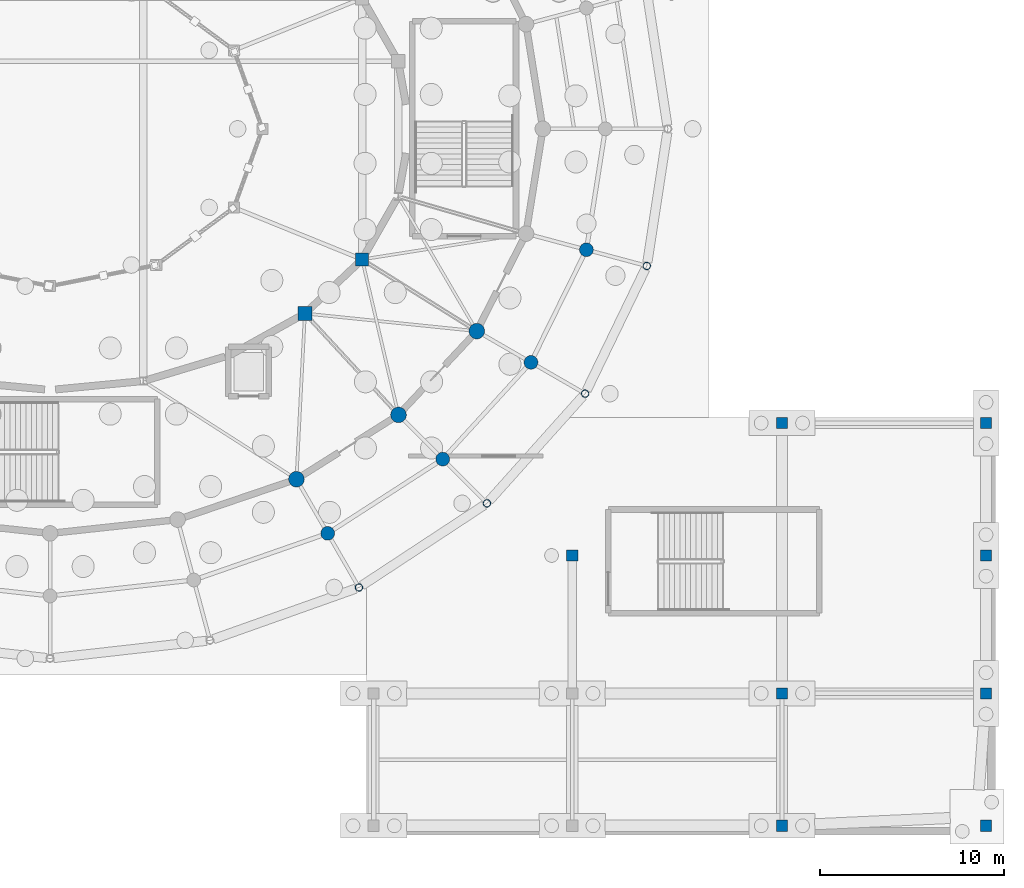
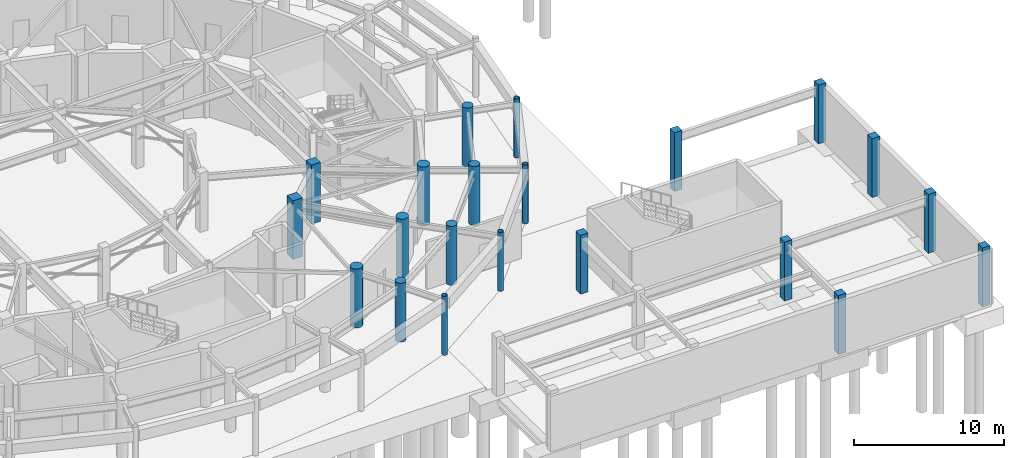
# One storey, part 24 of 68: 21 columns.
"""IFC4 building model written with IfcOpenShell, lengths in metres."""

from ifc_helpers import new_model, si_unit, direction, frame, origin, origin_2d, place, context, subcontext, project, spatial, rectangle, circle, hollow_circle, extrude, material, material_profile, profile_set, type_object, element, save


model = new_model("IFC4")

# Units and contexts
model_context = context("Model", 3, precision=1e-05, world=origin(), true_north=direction((0.0, 1.0)))
body_context = subcontext(model_context, "Body", "Model", "MODEL_VIEW")
ifc_project = project(units=[si_unit("LENGTHUNIT", "METRE"), si_unit("AREAUNIT", "SQUARE_METRE"), si_unit("VOLUMEUNIT", "CUBIC_METRE"), si_unit("PLANEANGLEUNIT", "RADIAN"), si_unit("MASSUNIT", "GRAM", prefix="KILO")], contexts=[model_context])

# Site, building, storey
site_placement = place(None, origin())
site = spatial("IfcSite", under=ifc_project, at=site_placement, CompositionType="ELEMENT")
building_placement = place(site_placement, origin())
building = spatial("IfcBuilding", under=site, at=building_placement, Name="Cinderbank Siding Concert Hall", CompositionType="ELEMENT")
storey_placement = place(building_placement, frame((0.0, 0.0, -4.800048828125)))
storey = spatial("IfcBuildingStorey", under=building, at=storey_placement, Name="B1", CompositionType="ELEMENT", Elevation=-4.800048828125)

# Columns
ifc_material_1 = material(Name="Structural steel hollow section AS/NZS 1163 Grade C350L0 (350 MPa)", Category="steel")
ifc_material_profile_1 = material_profile(ifc_material_1, hollow_circle(Radius=0.203125, WallThickness=0.01611328125, at=origin_2d()), Name="406.4x16.0CHS", Category="LoadBearing")
ifc_profile_set_1 = profile_set([ifc_material_profile_1], Name="Structural steel hollow section AS/NZS 1163 Grade C350L0 (350 MPa)")
column_type_1 = type_object("IfcColumnType", Name="C-CHS406 406.4x16.0CHS", PredefinedType="COLUMN", material=ifc_profile_set_1)
for number, where, z_axis, x_axis, name in (
    (1, (138.800048828125, 19.05810546875, 0.0), (0.0, 0.0, 1.0), (1.0, 0.0, 0.0), "B1 Column COL-E4-21"),
    (2, (145.759033203125, 23.635009765625, 0.0), (0.0, 0.0, 1.0), (1.0, 0.0, 0.0), "B1 Column COL-E4-22"),
    (3, (151.09912109375, 29.60009765625, 0.0), (0.0, 0.0, 1.0), (1.0, 0.0, 0.0), "B1 Column COL-E4-23"),
    (4, (154.455078125, 36.5458984375, 0.0), (0.0, 0.0, 1.0), (1.0, 0.0, 0.0), "B1 Column COL-E4-24"),
):
    element("IfcColumn", number, at=place(storey_placement, frame(where, z_axis=z_axis, x_axis=x_axis)), inside=storey, type_object=column_type_1, Name=name, PredefinedType="COLUMN", context=body_context, shape_type="SweptSolid", body=[
        extrude(hollow_circle(Radius=0.203125, WallThickness=0.01611328125, at=origin_2d()), origin(), (0.0, 0.0, 1.0), 4.800048828125),
    ])
ifc_material_2 = material(Name="Reinforced concrete AS 3600 N50 (50 MPa)", Category="concrete")
ifc_material_profile_2 = material_profile(ifc_material_2, rectangle(XDim=0.60009765625, YDim=0.60009765625, at=origin_2d()), Name="RC-COL-600x600", Category="LoadBearing")
ifc_profile_set_2 = profile_set([ifc_material_profile_2], Name="Reinforced concrete AS 3600 N50 (50 MPa)")
column_type_2 = type_object("IfcColumnType", Name="C-RC600 RC-COL-600x600", PredefinedType="COLUMN", material=ifc_profile_set_2)
for number, where, z_axis, x_axis, name in (
    (5, (150.39990234375, 20.800048828125, 0.0), (0.0, 0.0, 1.0), (1.0, 0.0, 0.0), "B1 Column COL-SE-2-3"),
    (6, (161.800048828125, 6.10009765625, 0.0), (0.0, 0.0, 1.0), (1.0, 0.0, 0.0), "B1 Column COL-SE-3-1"),
    (7, (161.800048828125, 13.300048828125, 0.0), (0.0, 0.0, 1.0), (1.0, 0.0, 0.0), "B1 Column COL-SE-3-2"),
    (8, (161.800048828125, 28.0, 0.0), (0.0, 0.0, 1.0), (1.0, 0.0, 0.0), "B1 Column COL-SE-3-4"),
    (9, (172.89990234375, 6.10009765625, 0.0), (0.0, 0.0, 1.0), (1.0, 0.0, 0.0), "B1 Column COL-SE-4-1"),
    (10, (172.89990234375, 13.300048828125, 0.0), (0.0, 0.0, 1.0), (1.0, 0.0, 0.0), "B1 Column COL-SE-4-2"),
    (11, (172.89990234375, 20.800048828125, 0.0), (0.0, 0.0, 1.0), (1.0, 0.0, 0.0), "B1 Column COL-SE-4-3"),
    (12, (172.89990234375, 28.0, 0.0), (0.0, 0.0, 1.0), (1.0, 0.0, 0.0), "B1 Column COL-SE-4-4"),
):
    element("IfcColumn", number, at=place(storey_placement, frame(where, z_axis=z_axis, x_axis=x_axis)), inside=storey, type_object=column_type_2, Name=name, PredefinedType="COLUMN", context=body_context, shape_type="SweptSolid", body=[
        extrude(rectangle(XDim=0.60009765625, YDim=0.60009765625, at=origin_2d()), origin(), (0.0, 0.0, 1.0), 4.800048828125),
    ])
ifc_material_profile_3 = material_profile(ifc_material_2, rectangle(XDim=0.699951171875, YDim=0.699951171875, at=origin_2d()), Name="RC-COL-700x700", Category="LoadBearing")
ifc_profile_set_3 = profile_set([ifc_material_profile_3], Name="Reinforced concrete AS 3600 N50 (50 MPa)")
column_type_3 = type_object("IfcColumnType", Name="C-RC700 RC-COL-700x700", PredefinedType="COLUMN", material=ifc_profile_set_3)
column_1_placement = place(storey_placement, frame((138.97412109375, 36.89990234375, 0.0), z_axis=(0.0, 0.0, 1.0), x_axis=(1.0, 0.0, 0.0)))
element("IfcColumn", 13, at=column_1_placement, inside=storey, type_object=column_type_3, Name="B1 Column COL-E1-23", PredefinedType="COLUMN", context=body_context, shape_type="SweptSolid", body=[
    extrude(rectangle(XDim=0.699951171875, YDim=0.699951171875, at=origin_2d()), origin(), (0.0, 0.0, 1.0), 4.800048828125),
])
ifc_material_profile_4 = material_profile(ifc_material_2, rectangle(XDim=0.75, YDim=0.75, at=origin_2d()), Name="RC-COL-750x750", Category="LoadBearing")
ifc_profile_set_4 = profile_set([ifc_material_profile_4], Name="Reinforced concrete AS 3600 N50 (50 MPa)")
column_type_4 = type_object("IfcColumnType", Name="C-RC750 RC-COL-750x750", PredefinedType="COLUMN", material=ifc_profile_set_4)
column_2_placement = place(storey_placement, frame((135.85888671875, 33.958984375, 0.0), z_axis=(0.0, 0.0, 1.0), x_axis=(1.0, 0.0, 0.0)))
element("IfcColumn", 14, at=column_2_placement, inside=storey, type_object=column_type_4, Name="B1 Column COL-E1-22", PredefinedType="COLUMN", context=body_context, shape_type="SweptSolid", body=[
    extrude(rectangle(XDim=0.75, YDim=0.75, at=origin_2d()), origin(), (0.0, 0.0, 1.0), 4.800048828125),
])
ifc_material_profile_5 = material_profile(ifc_material_2, circle(Radius=0.375, at=origin_2d()), Name="RC-COL-750DIA", Category="LoadBearing")
ifc_profile_set_5 = profile_set([ifc_material_profile_5], Name="Reinforced concrete AS 3600 N50 (50 MPa)")
column_type_5 = type_object("IfcColumnType", Name="C-RCD750 RC-COL-750DIA", PredefinedType="COLUMN", material=ifc_profile_set_5)
for number, where, z_axis, x_axis, name in (
    (15, (137.10009765625, 22.0029296875, 0.0), (0.0, 0.0, 1.0), (1.0, 0.0, 0.0), "B1 Column COL-E3-21"),
    (16, (143.35498046875, 26.0400390625, 0.0), (0.0, 0.0, 1.0), (1.0, 0.0, 0.0), "B1 Column COL-E3-22"),
    (17, (148.154052734375, 31.300048828125, 0.0), (0.0, 0.0, 1.0), (1.0, 0.0, 0.0), "B1 Column COL-E3-23"),
    (18, (151.1708984375, 37.426025390625, 0.0), (0.0, 0.0, 1.0), (1.0, 0.0, 0.0), "B1 Column COL-E3-24"),
):
    element("IfcColumn", number, at=place(storey_placement, frame(where, z_axis=z_axis, x_axis=x_axis)), inside=storey, type_object=column_type_5, Name=name, PredefinedType="COLUMN", context=body_context, shape_type="SweptSolid", body=[
        extrude(circle(Radius=0.375, at=origin_2d()), origin(), (0.0, 0.0, 1.0), 4.800048828125),
    ])
ifc_material_profile_6 = material_profile(ifc_material_2, circle(Radius=0.425048828125, at=origin_2d()), Name="RC-COL-850DIA", Category="LoadBearing")
ifc_profile_set_6 = profile_set([ifc_material_profile_6], Name="Reinforced concrete AS 3600 N50 (50 MPa)")
column_type_6 = type_object("IfcColumnType", Name="C-RCD850 RC-COL-850DIA", PredefinedType="COLUMN", material=ifc_profile_set_6)
for number, where, z_axis, x_axis, name in (
    (19, (135.39990234375, 24.947021484375, 0.0), (0.0, 0.0, 1.0), (1.0, 0.0, 0.0), "B1 Column COL-E2-21"),
    (20, (140.950927734375, 28.444091796875, 0.0), (0.0, 0.0, 1.0), (1.0, 0.0, 0.0), "B1 Column COL-E2-22"),
    (21, (145.208984375, 33.0, 0.0), (0.0, 0.0, 1.0), (1.0, 0.0, 0.0), "B1 Column COL-E2-23"),
):
    element("IfcColumn", number, at=place(storey_placement, frame(where, z_axis=z_axis, x_axis=x_axis)), inside=storey, type_object=column_type_6, Name=name, PredefinedType="COLUMN", context=body_context, shape_type="SweptSolid", body=[
        extrude(circle(Radius=0.425048828125, at=origin_2d()), origin(), (0.0, 0.0, 1.0), 4.800048828125),
    ])

save(model, "model.ifc")
